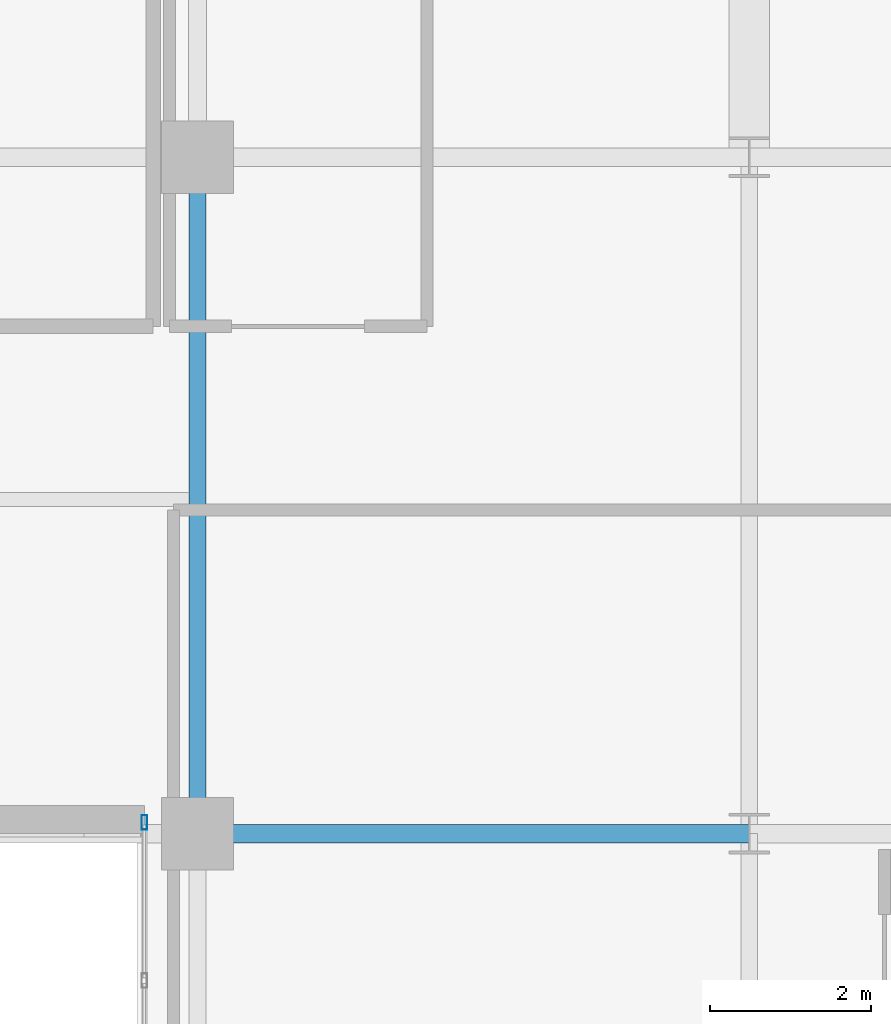
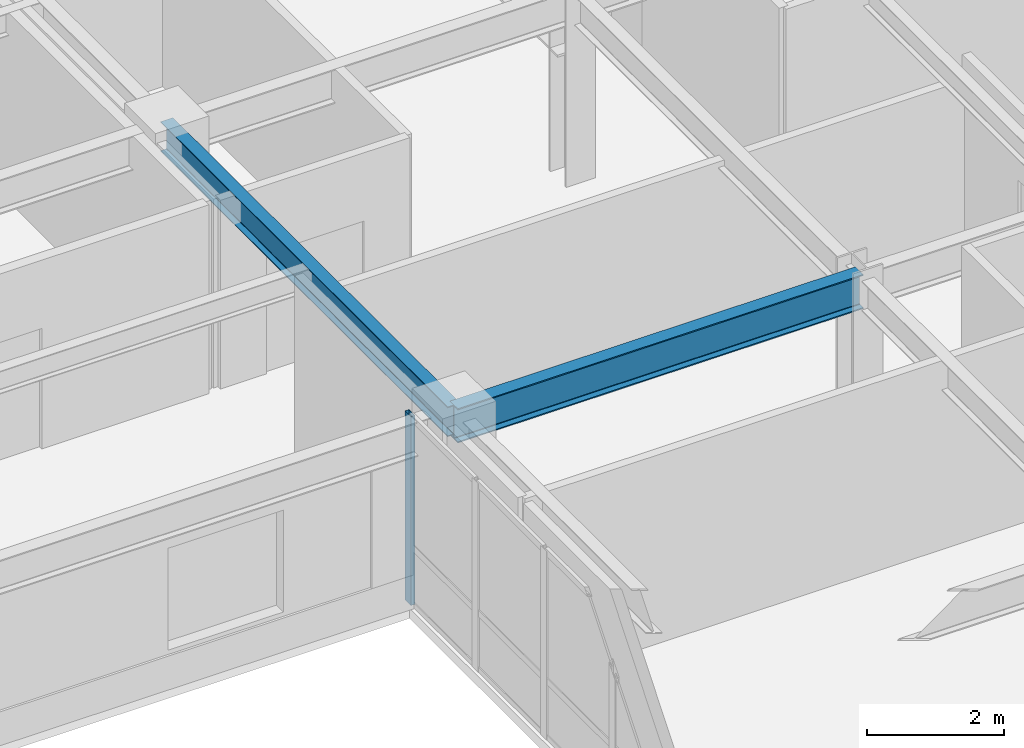
# One storey, part 11 of 25: 2 beams, 1 member, 1 element without a shape of its own.
"""IFC4 building model written with IfcOpenShell, lengths in metres."""

from ifc_helpers import new_model, si_unit, direction, frame, origin, origin_2d, place, context, subcontext, project, spatial, hollow_rectangle, i_section, extrude, source, transform, mapped, material, layer, layer_set, material_profile, profile_set, type_object, type_shapes, element, aggregate, save


model = new_model("IFC4")

# Units and contexts
model_context = context("Model", 3, precision=1e-05, world=origin(), true_north=direction((0.0, 1.0)))
body_context = subcontext(model_context, "Body", "Model", "MODEL_VIEW")
ifc_project = project(units=[si_unit("LENGTHUNIT", "METRE"), si_unit("AREAUNIT", "SQUARE_METRE"), si_unit("VOLUMEUNIT", "CUBIC_METRE"), si_unit("PLANEANGLEUNIT", "RADIAN"), si_unit("MASSUNIT", "GRAM", prefix="KILO")], contexts=[model_context])

# Site, building, storey
site_placement = place(None, origin())
site = spatial("IfcSite", under=ifc_project, at=site_placement, CompositionType="ELEMENT")
building_placement = place(site_placement, origin())
building = spatial("IfcBuilding", under=site, at=building_placement, Name="Tolvann Quenvar Hotel", CompositionType="ELEMENT")
storey_placement = place(building_placement, frame((0.0, 0.0, 132.85009765625)))
storey = spatial("IfcBuildingStorey", under=building, at=storey_placement, Name="L34", CompositionType="ELEMENT", Elevation=132.85009765625)

# Beams
ifc_material_1 = material(Name="Steel Grade 350", Category="steel")
ifc_material_profile_1 = material_profile(ifc_material_1, i_section(OverallWidth=0.22900390625, OverallDepth=0.612060546875, WebThickness=0.011962890625, FlangeThickness=0.01953125, FilletRadius=0.013916015625, at=origin_2d()), Name="610UB125")
ifc_profile_set_1 = profile_set([ifc_material_profile_1], Name="Steel Grade 350")
beam_type_1 = type_object("IfcBeamType", Name="BM_GIRD_610UB125", PredefinedType="BEAM", material=ifc_profile_set_1)
shared_shape_1 = source(origin(), body_context, "Body", "SweptSolid", [
    extrude(i_section(OverallWidth=0.22900390625, OverallDepth=0.612060546875, WebThickness=0.011962890625, FlangeThickness=0.01953125, FilletRadius=0.013916015625, at=origin_2d()), origin(), (0.0, 0.0, 1.0), 6.85009765625),
])
type_shapes(beam_type_1, [shared_shape_1])
beam_1_placement = place(storey_placement, frame((34.949951171875, 16.0, 3.06396484375), z_axis=(1.0, 0.0, 0.0), x_axis=(0.0, 1.0, 0.0)))
element("IfcBeam", 1, at=beam_1_placement, inside=storey, type_object=beam_type_1, Name="BM-L34-EW-4-F4-H4", PredefinedType="BEAM", context=body_context, shape_type="MappedRepresentation", body=[
    mapped(shared_shape_1, transform((0.0, 0.0, 0.0), x_axis=(1.0, 0.0, 0.0), y_axis=(0.0, 1.0, 0.0), z_axis=(0.0, 0.0, 1.0), scale=1.0)),
])
ifc_material_profile_2 = material_profile(ifc_material_1, i_section(OverallWidth=0.208984375, OverallDepth=0.532958984375, WebThickness=0.01025390625, FlangeThickness=0.015625, FilletRadius=0.013916015625, at=origin_2d()), Name="530UB92")
ifc_profile_set_2 = profile_set([ifc_material_profile_2], Name="Steel Grade 350")
beam_type_2 = type_object("IfcBeamType", Name="BM_GIRD_530UB92", PredefinedType="BEAM", material=ifc_profile_set_2)
shared_shape_2 = source(origin(), body_context, "Body", "SweptSolid", [
    extrude(i_section(OverallWidth=0.208984375, OverallDepth=0.532958984375, WebThickness=0.01025390625, FlangeThickness=0.015625, FilletRadius=0.013916015625, at=origin_2d()), origin(), (0.0, 0.0, 1.0), 8.39990234375),
])
type_shapes(beam_type_2, [shared_shape_2])
beam_2_placement = place(storey_placement, frame((34.949951171875, 16.0, 3.103515625), z_axis=(0.0, 1.0, 0.0), x_axis=(-1.0, 0.0, 0.0)))
element("IfcBeam", 2, at=beam_2_placement, inside=storey, type_object=beam_type_2, Name="BM-L34-NS-F4-F5", PredefinedType="BEAM", context=body_context, shape_type="MappedRepresentation", body=[
    mapped(shared_shape_2, transform((0.0, 0.0, 0.0), x_axis=(1.0, 0.0, 0.0), y_axis=(0.0, 1.0, 0.0), z_axis=(0.0, 0.0, 1.0), scale=1.0)),
])

# Curtain wall, member
ifc_material_2 = material(Name="Thermally broken anodised architectural aluminium 6063-T6 and laminated low-E glass", Category="aluminium")
ifc_layer = layer(ifc_material_2, 0.179931640625)
ifc_layer_set = layer_set([ifc_layer], Name="Thermally broken anodised architectural aluminium 6063-T6 and laminated low-E glass")
curtain_wall_type = type_object("IfcCurtainWallType", Name="CW_SYS_SLOT_03", PredefinedType="USERDEFINED", material=ifc_layer_set)
curtain_wall_placement = place(storey_placement, origin())
curtain_wall = element("IfcCurtainWall", 3, at=curtain_wall_placement, inside=storey, type_object=curtain_wall_type, Name="Curtain Wall CW-SLOT-03 (CWR-L34-E07)", ObjectType="UNITISED CURTAIN WALL", PredefinedType="USERDEFINED")
ifc_material_3 = material(Name="Anodised architectural aluminium 6063-T6 framing", Category="aluminium")
ifc_material_profile_3 = material_profile(ifc_material_3, hollow_rectangle(XDim=0.070068359375, YDim=0.179931640625, WallThickness=0.00390625, at=origin_2d()), Name="180x70x4RHS")
ifc_profile_set_3 = profile_set([ifc_material_profile_3], Name="Anodised architectural aluminium 6063-T6 framing")
member_type = type_object("IfcMemberType", Name="CW_MULL_180x70", PredefinedType="MULLION", material=ifc_profile_set_3)
shared_shape_3 = source(origin(), body_context, "Body", "SweptSolid", [
    extrude(hollow_rectangle(XDim=0.070068359375, YDim=0.179931640625, WallThickness=0.00390625, at=origin_2d()), origin(), (0.0, 0.0, 1.0), 3.369873046875),
])
type_shapes(member_type, [shared_shape_3])
member_placement = place(storey_placement, frame((34.2900390625, 16.139892578125, 0.0), z_axis=(0.0, 0.0, 1.0), x_axis=(1.0, 0.0, 0.0)))
member = element("IfcMember", 4, at=member_placement, type_object=member_type, Name="CW-SLOT-03 mullion 1", PredefinedType="MULLION", context=body_context, shape_type="MappedRepresentation", body=[
    mapped(shared_shape_3, transform((0.0, 0.0, 0.0), x_axis=(1.0, 0.0, 0.0), y_axis=(0.0, 1.0, 0.0), z_axis=(0.0, 0.0, 1.0), scale=1.0)),
])
aggregate(curtain_wall, [member])

save(model, "model.ifc")
